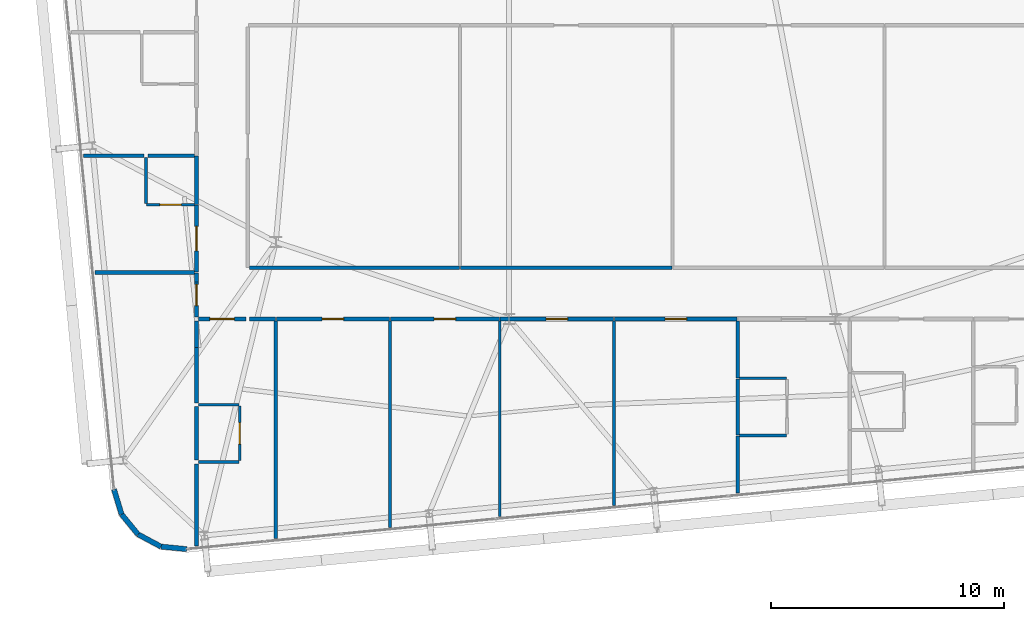
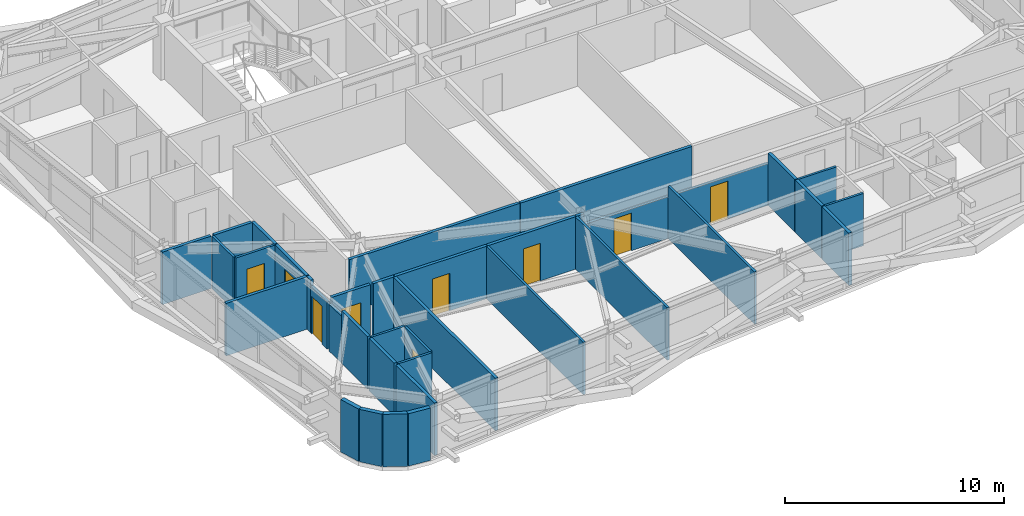
# One storey, part 46 of 53: 38 walls, 9 doors, 9 openings.
"""IFC4 building model written with IfcOpenShell, lengths in metres."""

import ifcopenshell
import ifcopenshell.guid

model = None  # the IFC model being written
_history = None  # IfcOwnerHistory: only IFC2X3 demands one
_inside = {}  # id of a spatial element -> (the spatial element, [elements in it])
_under = {}  # id of a project, library or spatial element -> (it, [spatial elements below it])
_declared = {}  # id of a project -> (the project, [libraries it declares])
_typed = {}  # id of a type object -> (the type object, [elements of that type])
_made_of = {}  # id of a material, layer set ... -> (it, [elements and type objects made of it])


def new_model(schema):
    """Start an empty IFC model of exactly this schema.

    Asked for "IFC4X3", IfcOpenShell would pick the latest addendum, in which some entities
    have other attributes; the version numbers below select the first issue.
    IFC2X3 requires an IfcOwnerHistory on every rooted entity: one is made here for all.
    """
    global model, _history
    if schema == "IFC4X3":
        model = ifcopenshell.file(schema_version=(4, 3, 0, 0))
    else:
        model = ifcopenshell.file(schema=schema)
    _inside.clear()
    _under.clear()
    _declared.clear()
    _typed.clear()
    _made_of.clear()
    _history = None
    if model.schema == "IFC2X3":
        org = make("IfcOrganization", Name="unknown")
        user = make(
            "IfcPersonAndOrganization",
            ThePerson=make("IfcPerson", FamilyName="unknown"),
            TheOrganization=org,
        )
        app = make(
            "IfcApplication",
            ApplicationDeveloper=org,
            Version="unknown",
            ApplicationFullName="unknown",
            ApplicationIdentifier="unknown",
        )
        _history = make(
            "IfcOwnerHistory",
            OwningUser=user,
            OwningApplication=app,
            ChangeAction="ADDED",
            CreationDate=0,
        )
    return model


def make(cls, **values):
    """One entity of the class cls with the attributes given. An attribute that is None is left unset."""
    return model.create_entity(
        cls, **{name: value for name, value in values.items() if value is not None}
    )


def rooted(cls, **values):
    """An entity with a GlobalId (a new one), such as an element, a storey or a relation."""
    return make(cls, GlobalId=ifcopenshell.guid.new(), OwnerHistory=_history, **values)


def si_unit(unit_type, name, prefix=None):
    """IfcSIUnit, for example si_unit("LENGTHUNIT", "METRE", prefix="MILLI")."""
    return make("IfcSIUnit", UnitType=unit_type, Prefix=prefix, Name=name)


def assignment(units):
    """IfcUnitAssignment: the units of a project."""
    return None if units is None else make("IfcUnitAssignment", Units=units)


def point(xyz):
    """IfcCartesianPoint."""
    return None if xyz is None else make("IfcCartesianPoint", Coordinates=xyz)


def direction(xyz):
    """IfcDirection."""
    return None if xyz is None else make("IfcDirection", DirectionRatios=xyz)


def frame(location, z_axis=None, x_axis=None):
    """IfcAxis2Placement3D, a coordinate frame: its origin and axes. An axis left out is left unset."""
    return make(
        "IfcAxis2Placement3D",
        Location=point(location),
        Axis=direction(z_axis),
        RefDirection=direction(x_axis),
    )


def frame_2d(location, x_axis=None):
    """IfcAxis2Placement2D, a coordinate frame in the plane: its origin and x axis."""
    return make(
        "IfcAxis2Placement2D", Location=point(location), RefDirection=direction(x_axis)
    )


def origin():
    """The frame at (0, 0, 0) with its axes left unset."""
    return frame((0.0, 0.0, 0.0))


def place(relative_to, where):
    """IfcLocalPlacement: puts the frame where relative to a parent placement (None: the world)."""
    return make(
        "IfcLocalPlacement", PlacementRelTo=relative_to, RelativePlacement=where
    )


def context(
    kind, dimensions, precision=None, world=None, true_north=None, identifier=None
):
    """IfcGeometricRepresentationContext, for example the 3D "Model" context."""
    return make(
        "IfcGeometricRepresentationContext",
        ContextIdentifier=identifier,
        ContextType=kind,
        CoordinateSpaceDimension=dimensions,
        Precision=precision,
        WorldCoordinateSystem=world,
        TrueNorth=true_north,
    )


def subcontext(parent, identifier, kind, view, scale=None):
    """IfcGeometricRepresentationSubContext, for example "Body" below "Model"."""
    return make(
        "IfcGeometricRepresentationSubContext",
        ContextIdentifier=identifier,
        ContextType=kind,
        ParentContext=parent,
        TargetScale=scale,
        TargetView=view,
    )


def project(units=None, contexts=None):
    """IfcProject with its units and contexts."""
    return rooted(
        "IfcProject",
        Name="project",
        RepresentationContexts=contexts,
        UnitsInContext=assignment(units),
    )


def spatial(cls, under=None, at=None, **own):
    """A site, building, storey or space (cls), placed at a placement, below another one or the project."""
    s = rooted(cls, ObjectPlacement=at, **own)
    if under is not None:
        _under.setdefault(under.id(), (under, []))[1].append(s)
    return s


def profile(cls, at=None, kind="AREA", **sizes):
    """A parametric profile (cls). Its sizes go by their IFC names, for example OverallWidth=200.0."""
    return make(cls, ProfileType=kind, Position=at, **sizes)


def rectangle(**sizes):
    """IfcRectangleProfileDef."""
    return profile("IfcRectangleProfileDef", **sizes)


def extrude(swept, where, along, depth):
    """IfcExtrudedAreaSolid: the profile swept, set in the frame where, extruded along a direction by depth."""
    return make(
        "IfcExtrudedAreaSolid",
        SweptArea=swept,
        Position=where,
        ExtrudedDirection=direction(along),
        Depth=depth,
    )


def shape(context_of_items, identifier, shape_type, items):
    """IfcShapeRepresentation: the items that make up one representation, for example the "Body"."""
    return make(
        "IfcShapeRepresentation",
        ContextOfItems=context_of_items,
        RepresentationIdentifier=identifier,
        RepresentationType=shape_type,
        Items=items,
    )


def source(mapping_origin, context_of_items, identifier, shape_type, items):
    """IfcRepresentationMap: a shape defined once, which mapped items show again and again."""
    return make(
        "IfcRepresentationMap",
        MappingOrigin=mapping_origin,
        MappedRepresentation=shape(context_of_items, identifier, shape_type, items),
    )


def transform(
    local_origin,
    x_axis=None,
    y_axis=None,
    z_axis=None,
    scale=None,
    scale2=None,
    scale3=None,
    uniform=True,
):
    """IfcCartesianTransformationOperator3D, or its non-uniform kind. x_axis, y_axis, z_axis: its Axis1, 2, 3."""
    if uniform:
        return make(
            "IfcCartesianTransformationOperator3D",
            Axis1=direction(x_axis),
            Axis2=direction(y_axis),
            LocalOrigin=point(local_origin),
            Scale=scale,
            Axis3=direction(z_axis),
        )
    return make(
        "IfcCartesianTransformationOperator3DnonUniform",
        Axis1=direction(x_axis),
        Axis2=direction(y_axis),
        LocalOrigin=point(local_origin),
        Scale=scale,
        Axis3=direction(z_axis),
        Scale2=scale2,
        Scale3=scale3,
    )


def mapped(mapping_source, mapping_target):
    """IfcMappedItem: shows the shape of a source again, moved by a transform."""
    return make(
        "IfcMappedItem", MappingSource=mapping_source, MappingTarget=mapping_target
    )


def material(Name=None, Category=None):
    """IfcMaterial."""
    return make("IfcMaterial", Name=Name, Category=Category)


def layer(
    of_material, thickness, ventilated=None, Name=None, Category=None, Priority=None
):
    """IfcMaterialLayer: one layer of a wall or slab, of a material (None: an air gap)."""
    return make(
        "IfcMaterialLayer",
        Material=of_material,
        LayerThickness=thickness,
        IsVentilated=ventilated,
        Name=Name,
        Category=Category,
        Priority=Priority,
    )


def layer_set(layers, Name=None):
    """IfcMaterialLayerSet."""
    return make("IfcMaterialLayerSet", MaterialLayers=layers, LayerSetName=Name)


def made_of(thing, what):
    """Note that an element or type object is made of a material, layer set ...; save() writes the relation."""
    if what is not None:
        _made_of.setdefault(what.id(), (what, []))[1].append(thing)
    return thing


def type_object(cls, material=None, **own):
    """A type object (cls), such as IfcWallType, which elements share."""
    return made_of(rooted(cls, **own), material)


def element(
    cls,
    number,
    at=None,
    inside=None,
    cuts=None,
    type_object=None,
    material=None,
    context=None,
    identifier="Body",
    shape_type=None,
    held_by="IfcProductDefinitionShape",
    body=None,
    shapes=None,
    **own,
):
    """One element of the class cls, such as IfcWall. Its Tag is "e" and its number.

    at: its placement. inside: the storey or other place that contains it. cuts: it is an
    opening in that element (IfcRelVoidsElement). A single representation is given by context,
    identifier, shape_type and body (its items); several are given by shapes. held_by: the class
    of the entity that holds the representations. save() writes the other relations.
    """
    e = rooted(cls, Tag="e%d" % number, ObjectPlacement=at, **own)
    if body is not None:
        shapes = [shape(context, identifier, shape_type, body)]
    if shapes is not None:
        e.Representation = make(held_by, Representations=shapes)
    if inside is not None:
        _inside.setdefault(inside.id(), (inside, []))[1].append(e)
    if cuts is not None:
        rooted(
            "IfcRelVoidsElement", RelatingBuildingElement=cuts, RelatedOpeningElement=e
        )
    if type_object is not None:
        _typed.setdefault(type_object.id(), (type_object, []))[1].append(e)
    return made_of(e, material)


def fill(opening, filler):
    """IfcRelFillsElement: the door or window that sits in an opening."""
    return rooted(
        "IfcRelFillsElement",
        RelatingOpeningElement=opening,
        RelatedBuildingElement=filler,
    )


def aggregate(whole, parts):
    """IfcRelAggregates: a whole, such as a stair, and the parts it consists of."""
    return rooted("IfcRelAggregates", RelatingObject=whole, RelatedObjects=parts)


def save(model, path):
    """Write the relations noted so far, then the file.

    IfcRelAggregates (storeys below a building ...), IfcRelContainedInSpatialStructure (elements
    in a storey), IfcRelDefinesByType, IfcRelAssociatesMaterial and IfcRelDeclares: one each for
    every whole, place, type object, material and project.
    """
    for whole, parts in _under.values():
        aggregate(whole, parts)
    for where, things in _inside.values():
        rooted(
            "IfcRelContainedInSpatialStructure",
            RelatedElements=things,
            RelatingStructure=where,
        )
    for kind, things in _typed.values():
        rooted("IfcRelDefinesByType", RelatedObjects=things, RelatingType=kind)
    for what, things in _made_of.values():
        rooted("IfcRelAssociatesMaterial", RelatedObjects=things, RelatingMaterial=what)
    for by, libraries in _declared.values():
        rooted("IfcRelDeclares", RelatingContext=by, RelatedDefinitions=libraries)
    model.write(path)


model = new_model("IFC4")

# Units and contexts
model_context = context("Model", 3, precision=1e-05, world=origin(), true_north=direction((0.0, 1.0)))
body_context = subcontext(model_context, "Body", "Model", "MODEL_VIEW")
ifc_project = project(units=[si_unit("LENGTHUNIT", "METRE"), si_unit("AREAUNIT", "SQUARE_METRE"), si_unit("VOLUMEUNIT", "CUBIC_METRE"), si_unit("PLANEANGLEUNIT", "RADIAN"), si_unit("MASSUNIT", "GRAM", prefix="KILO")], contexts=[model_context])

# Site, building, storey
site_placement = place(None, origin())
site = spatial("IfcSite", under=ifc_project, at=site_placement, CompositionType="ELEMENT")
building_placement = place(site_placement, origin())
building = spatial("IfcBuilding", under=site, at=building_placement, Name="Taldren Reach Tower", CompositionType="ELEMENT")
storey_placement = place(building_placement, frame((0.0, 0.0, 71.39990234375)))
storey = spatial("IfcBuildingStorey", under=building, at=storey_placement, Name="L21", CompositionType="ELEMENT", Elevation=71.39990234375)

# Walls
ifc_material_1 = material(Name="Pale Champagne Anodised Aluminium Cladding", Category="aluminium")
ifc_layer_1 = layer(ifc_material_1, 0.04, Name="Pale Champagne Anodised Aluminium Cladding", Category="aluminium")
ifc_material_2 = material(Name="Mineral Wool Acoustic Insulation", Category="insulation")
ifc_layer_2 = layer(ifc_material_2, 0.06, Name="Mineral Wool Acoustic Insulation", Category="insulation")
ifc_material_3 = material(Name="Steel Gr 350 (C350L0)", Category="steel")
ifc_layer_3 = layer(ifc_material_3, 0.12, Name="Steel Gr 350 (C350L0)", Category="steel")
ifc_layer_set_1 = layer_set([ifc_layer_1, ifc_layer_2, ifc_layer_3], Name="Pale Champagne Aluminium Cladding and Steel Gr 350 Stud Framing")
wall_type_1 = type_object("IfcWallType", Name="EW-CRN-220", PredefinedType="SOLIDWALL", material=ifc_layer_set_1)
shared_shape_1 = source(origin(), body_context, "Body", "SweptSolid", [
    extrude(rectangle(XDim=1.115966796875, YDim=0.219970703125, at=frame_2d((0.55810546875, 0.0))), origin(), (0.0, 0.0, 1.0), 2.93017578125),
])
for number, where, z_axis, x_axis, name in (
    (1, (11.062255859375, 1.90185546875, 0.0), (0.0, 0.0, 1.0), (0.289855603468, -0.957070388811, 0.0), "Rounded-corner pale-metal facade wall L21-SW1"),
    (2, (11.3857421875, 0.833740234375, 0.0), (0.0, 0.0, 1.0), (0.633988016432, -0.773342870285, 0.0), "Rounded-corner pale-metal facade wall L21-SW2"),
    (3, (13.0771484375, -0.5556640625, 0.0), (0.0, 0.0, 1.0), (0.995142755671, -0.09844234778, 0.0), "Rounded-corner pale-metal facade wall L21-SW4"),
):
    element("IfcWall", number, at=place(storey_placement, frame(where, z_axis=z_axis, x_axis=x_axis)), inside=storey, type_object=wall_type_1, Name=name, PredefinedType="SOLIDWALL", context=body_context, shape_type="MappedRepresentation", body=[
        mapped(shared_shape_1, transform((0.0, 0.0, 0.0), scale=1.0)),
    ])
shared_shape_2 = source(origin(), body_context, "Body", "SweptSolid", [
    extrude(rectangle(XDim=1.11572265625, YDim=0.219970703125, at=frame_2d((0.557861328125, 0.0))), origin(), (0.0, 0.0, 1.0), 2.93017578125),
])
wall_1_placement = place(storey_placement, frame((12.09326171875, -0.029296875, 0.0), z_axis=(0.0, 0.0, 1.0), x_axis=(0.881746547635, -0.471723463201, 0.0)))
element("IfcWall", 4, at=wall_1_placement, inside=storey, type_object=wall_type_1, Name="Rounded-corner pale-metal facade wall L21-SW3", PredefinedType="SOLIDWALL", context=body_context, shape_type="MappedRepresentation", body=[
    mapped(shared_shape_2, transform((0.0, 0.0, 0.0), scale=1.0)),
])

# Wall, opening, door
ifc_material_4 = material(Name="Fire-Rated Acoustic Plasterboard Stud Wall", Category="gypsum")
ifc_layer_4 = layer(ifc_material_4, 0.159912109375)
ifc_layer_set_2 = layer_set([ifc_layer_4], Name="Fire-Rated Acoustic Plasterboard Stud Wall")
wall_type_2 = type_object("IfcWallType", Name="IW-FIRE-160", PredefinedType="PARTITIONING", material=ifc_layer_set_2)
shared_shape_3 = source(origin(), body_context, "Body", "SweptSolid", [
    extrude(rectangle(XDim=2.0400390625, YDim=0.159912109375, at=frame_2d((1.02001953125, 0.0))), origin(), (0.0, 0.0, 1.0), 2.93017578125),
])
wall_2_placement = place(storey_placement, frame((16.719970703125, 9.199951171875, 0.0), z_axis=(0.0, 0.0, 1.0), x_axis=(-1.0, 0.0, 0.0)))
wall_2 = element("IfcWall", 5, at=wall_2_placement, inside=storey, type_object=wall_type_2, Name="Interior Partition Wall W-INT-L21-051", PredefinedType="PARTITIONING", context=body_context, shape_type="MappedRepresentation", body=[
    mapped(shared_shape_3, transform((0.0, 0.0, 0.0), scale=1.0)),
])
shared_shape_4 = source(origin(), body_context, "Body", "SweptSolid", [
    extrude(rectangle(XDim=1.050048828125, YDim=2.10009765625, at=frame_2d((0.52490234375, 1.050048828125))), frame((0.0, 0.08984375, 0.0), z_axis=(0.0, -1.0, 0.0), x_axis=(1.0, 0.0, 0.0)), (0.0, 0.0, 1.0), 0.179931640625),
])
opening_1_placement = place(wall_2_placement, frame((0.4951171875, 0.0, 0.0)))
opening_1 = element("IfcOpeningElement", 6, at=opening_1_placement, cuts=wall_2, Name="Opening DF-105", PredefinedType="OPENING", context=body_context, shape_type="MappedRepresentation", body=[
    mapped(shared_shape_4, transform((0.0, 0.0, 0.0), scale=1.0)),
])
ifc_material_5 = material(Name="Fire-Rated Care and Stair Exit Door")
door_type_1 = type_object("IfcDoorType", Name="ID-FIRE-105", OperationType="NOTDEFINED", PredefinedType="DOOR", material=ifc_material_5)
shared_shape_5 = source(origin(), body_context, "Body", "SweptSolid", [
    extrude(rectangle(XDim=1.050048828125, YDim=2.10009765625, at=frame_2d((0.52490234375, 1.050048828125))), frame((0.0, 0.02490234375, 0.0), z_axis=(0.0, -1.0, 0.0), x_axis=(1.0, 0.0, 0.0)), (0.0, 0.0, 1.0), 0.050048828125),
])
door_1_placement = place(opening_1_placement, origin())
door_1 = element("IfcDoor", 7, at=door_1_placement, inside=storey, type_object=door_type_1, Name="Interior Door DR-L21-012", OperationType="SINGLE_SWING_LEFT", OverallHeight=2.10009765625, OverallWidth=1.050048828125, PredefinedType="DOOR", context=body_context, shape_type="MappedRepresentation", body=[
    mapped(shared_shape_5, transform((0.0, 0.0, 0.0), scale=1.0)),
])
fill(opening_1, door_1)

# Wall
shared_shape_6 = source(origin(), body_context, "Body", "SweptSolid", [
    extrude(rectangle(XDim=1.099853515625, YDim=0.159912109375, at=frame_2d((0.5498046875, 0.0))), origin(), (0.0, 0.0, 1.0), 2.93017578125),
])
wall_3_placement = place(storey_placement, frame((17.979736328125, 9.199951171875, 0.0), z_axis=(0.0, 0.0, 1.0), x_axis=(-1.0, 0.0, 0.0)))
element("IfcWall", 8, at=wall_3_placement, inside=storey, type_object=wall_type_2, Name="Interior Partition Wall W-INT-L21-069", PredefinedType="PARTITIONING", context=body_context, shape_type="MappedRepresentation", body=[
    mapped(shared_shape_6, transform((0.0, 0.0, 0.0), scale=1.0)),
])

# Wall, opening, door
ifc_material_6 = material(Name="Insulated Residential Stud Partition", Category="gypsum")
ifc_layer_5 = layer(ifc_material_6, 0.1201171875)
ifc_layer_set_3 = layer_set([ifc_layer_5], Name="Insulated Residential Stud Partition")
wall_type_3 = type_object("IfcWallType", Name="IW-PART-120", PredefinedType="PARTITIONING", material=ifc_layer_set_3)
shared_shape_7 = source(origin(), body_context, "Body", "SweptSolid", [
    extrude(rectangle(XDim=2.330078125, YDim=0.1201171875, at=frame_2d((1.1650390625, 0.0))), origin(), (0.0, 0.0, 1.0), 2.93017578125),
])
wall_4_placement = place(storey_placement, frame((16.449951171875, 3.131591796875, 0.0), z_axis=(0.0, 0.0, 1.0), x_axis=(0.0, 1.0, 0.0)))
wall_4 = element("IfcWall", 9, at=wall_4_placement, inside=storey, type_object=wall_type_3, Name="Interior Partition Wall W-INT-L21-081", PredefinedType="PARTITIONING", context=body_context, shape_type="MappedRepresentation", body=[
    mapped(shared_shape_7, transform((0.0, 0.0, 0.0), scale=1.0)),
])
shared_shape_8 = source(origin(), body_context, "Body", "SweptSolid", [
    extrude(rectangle(XDim=0.919921875, YDim=2.10009765625, at=frame_2d((0.4599609375, 1.050048828125))), frame((0.0, 0.070068359375, 0.0), z_axis=(0.0, -1.0, 0.0), x_axis=(1.0, 0.0, 0.0)), (0.0, 0.0, 1.0), 0.14013671875),
])
opening_2_placement = place(wall_4_placement, frame((0.705078125, 0.0, 0.0)))
opening_2 = element("IfcOpeningElement", 10, at=opening_2_placement, cuts=wall_4, Name="Opening DI-092", PredefinedType="OPENING", context=body_context, shape_type="MappedRepresentation", body=[
    mapped(shared_shape_8, transform((0.0, 0.0, 0.0), scale=1.0)),
])
ifc_material_7 = material(Name="Solid-Core Timber Suite Door", Category="wood")
door_type_2 = type_object("IfcDoorType", Name="ID-INT-092", OperationType="NOTDEFINED", PredefinedType="DOOR", material=ifc_material_7)
shared_shape_9 = source(origin(), body_context, "Body", "SweptSolid", [
    extrude(rectangle(XDim=0.919921875, YDim=2.10009765625, at=frame_2d((0.4599609375, 1.050048828125))), frame((0.0, 0.02490234375, 0.0), z_axis=(0.0, -1.0, 0.0), x_axis=(1.0, 0.0, 0.0)), (0.0, 0.0, 1.0), 0.050048828125),
])
door_2_placement = place(opening_2_placement, origin())
door_2 = element("IfcDoor", 11, at=door_2_placement, inside=storey, type_object=door_type_2, Name="Interior Door DR-L21-030", OperationType="SINGLE_SWING_LEFT", OverallHeight=2.10009765625, OverallWidth=0.919921875, PredefinedType="DOOR", context=body_context, shape_type="MappedRepresentation", body=[
    mapped(shared_shape_9, transform((0.0, 0.0, 0.0), scale=1.0)),
])
fill(opening_2, door_2)

# Walls
shared_shape_10 = source(origin(), body_context, "Body", "SweptSolid", [
    extrude(rectangle(XDim=1.749755859375, YDim=0.1201171875, at=frame_2d((0.875, 0.0))), origin(), (0.0, 0.0, 1.0), 2.93017578125),
])
for number, where, z_axis, x_axis, name in (
    (12, (14.679931640625, 3.071533203125, 0.0), (0.0, 0.0, 1.0), (1.0, 0.0, 0.0), "Interior Partition Wall W-INT-L21-082"),
    (13, (16.4296875, 5.521484375, 0.0), (0.0, 0.0, 1.0), (-1.0, 0.0, 0.0), "Interior Partition Wall W-INT-L21-083"),
):
    element("IfcWall", number, at=place(storey_placement, frame(where, z_axis=z_axis, x_axis=x_axis)), inside=storey, type_object=wall_type_3, Name=name, PredefinedType="PARTITIONING", context=body_context, shape_type="MappedRepresentation", body=[
        mapped(shared_shape_10, transform((0.0, 0.0, 0.0), scale=1.0)),
    ])
shared_shape_11 = source(origin(), body_context, "Body", "SweptSolid", [
    extrude(rectangle(XDim=2.2900390625, YDim=0.159912109375, at=frame_2d((1.14501953125, 0.0))), origin(), (0.0, 0.0, 1.0), 2.93017578125),
])
wall_5_placement = place(storey_placement, frame((14.60009765625, 3.151611328125, 0.0), z_axis=(0.0, 0.0, 1.0), x_axis=(0.0, 1.0, 0.0)))
element("IfcWall", 14, at=wall_5_placement, inside=storey, type_object=wall_type_2, Name="Interior Partition Wall W-INT-L21-087", PredefinedType="PARTITIONING", context=body_context, shape_type="MappedRepresentation", body=[
    mapped(shared_shape_11, transform((0.0, 0.0, 0.0), scale=1.0)),
])

# Wall, opening, door
shared_shape_12 = source(origin(), body_context, "Body", "SweptSolid", [
    extrude(rectangle(XDim=1.509765625, YDim=0.159912109375, at=frame_2d((0.7548828125, 0.0))), origin(), (0.0, 0.0, 1.0), 2.623046875),
])
wall_6_placement = place(storey_placement, frame((14.60009765625, 9.280029296875, 0.0), z_axis=(0.0, 0.0, 1.0), x_axis=(0.0, 1.0, 0.0)))
wall_6 = element("IfcWall", 15, at=wall_6_placement, inside=storey, type_object=wall_type_2, Name="Interior Partition Wall W-INT-L21-053", PredefinedType="PARTITIONING", context=body_context, shape_type="MappedRepresentation", body=[
    mapped(shared_shape_12, transform((0.0, 0.0, 0.0), scale=1.0)),
])
shared_shape_13 = source(origin(), body_context, "Body", "SweptSolid", [
    extrude(rectangle(XDim=0.919921875, YDim=2.10009765625, at=frame_2d((0.4599609375, 1.050048828125))), frame((0.0, 0.08984375, 0.0), z_axis=(0.0, -1.0, 0.0), x_axis=(1.0, 0.0, 0.0)), (0.0, 0.0, 1.0), 0.179931640625),
])
opening_3_placement = place(wall_6_placement, frame((0.489990234375, 0.0, 0.0)))
opening_3 = element("IfcOpeningElement", 16, at=opening_3_placement, cuts=wall_6, Name="Opening DI-092", PredefinedType="OPENING", context=body_context, shape_type="MappedRepresentation", body=[
    mapped(shared_shape_13, transform((0.0, 0.0, 0.0), scale=1.0)),
])
door_3_placement = place(opening_3_placement, origin())
door_3 = element("IfcDoor", 17, at=door_3_placement, inside=storey, type_object=door_type_2, Name="Interior Door DR-L21-014", OperationType="SINGLE_SWING_LEFT", OverallHeight=2.10009765625, OverallWidth=0.919921875, PredefinedType="DOOR", context=body_context, shape_type="MappedRepresentation", body=[
    mapped(shared_shape_9, transform((0.0, 0.0, 0.0), scale=1.0)),
])
fill(opening_3, door_3)

# Walls
shared_shape_14 = source(origin(), body_context, "Body", "SweptSolid", [
    extrude(rectangle(XDim=1.143310546875, YDim=0.159912109375, at=frame_2d((0.57177734375, 0.0))), origin(), (0.0, 0.0, 1.0), 2.623046875),
])
wall_7_placement = place(storey_placement, frame((14.60009765625, 7.974609375, 0.0), z_axis=(0.0, 0.0, 1.0), x_axis=(0.0, 1.0, 0.0)))
element("IfcWall", 18, at=wall_7_placement, inside=storey, type_object=wall_type_2, Name="Interior Partition Wall W-INT-L21-086 part 2", PredefinedType="PARTITIONING", context=body_context, shape_type="MappedRepresentation", body=[
    mapped(shared_shape_14, transform((0.0, 0.0, 0.0), scale=1.0)),
])
shared_shape_15 = source(origin(), body_context, "Body", "SweptSolid", [
    extrude(rectangle(XDim=9.0595703125, YDim=0.159912109375, at=frame_2d((4.52978515625, 0.0))), origin(), (0.0, 0.0, 1.0), 2.93017578125),
])
wall_8_placement = place(storey_placement, frame((25.920166015625, 11.39990234375, 0.0), z_axis=(0.0, 0.0, 1.0), x_axis=(1.0, 0.0, 0.0)))
element("IfcWall", 19, at=wall_8_placement, inside=storey, type_object=wall_type_2, Name="Interior Partition Wall W-INT-L21-066", PredefinedType="PARTITIONING", context=body_context, shape_type="MappedRepresentation", body=[
    mapped(shared_shape_15, transform((0.0, 0.0, 0.0), scale=1.0)),
])
shared_shape_16 = source(origin(), body_context, "Body", "SweptSolid", [
    extrude(rectangle(XDim=0.389892578125, YDim=0.159912109375, at=frame_2d((0.19482421875, 0.0))), origin(), (0.0, 0.0, 1.0), 2.93017578125),
])
wall_9_placement = place(storey_placement, frame((14.60009765625, 10.789794921875, 0.0), z_axis=(0.0, 0.0, 1.0), x_axis=(0.0, 1.0, 0.0)))
element("IfcWall", 20, at=wall_9_placement, inside=storey, type_object=wall_type_2, Name="Interior Partition Wall W-INT-L21-053 part 2", PredefinedType="PARTITIONING", context=body_context, shape_type="MappedRepresentation", body=[
    mapped(shared_shape_16, transform((0.0, 0.0, 0.0), scale=1.0)),
])

# Wall, opening, door
shared_shape_17 = source(origin(), body_context, "Body", "SweptSolid", [
    extrude(rectangle(XDim=2.859619140625, YDim=0.159912109375, at=frame_2d((1.4296875, 0.0))), origin(), (0.0, 0.0, 1.0), 2.93017578125),
])
wall_10_placement = place(storey_placement, frame((14.60009765625, 11.22021484375, 0.0), z_axis=(0.0, 0.0, 1.0), x_axis=(0.0, 1.0, 0.0)))
wall_10 = element("IfcWall", 21, at=wall_10_placement, inside=storey, type_object=wall_type_2, Name="Interior Partition Wall W-INT-L21-054", PredefinedType="PARTITIONING", context=body_context, shape_type="MappedRepresentation", body=[
    mapped(shared_shape_17, transform((0.0, 0.0, 0.0), scale=1.0)),
])
opening_4_placement = place(wall_10_placement, frame((0.90478515625, 0.0, 0.0)))
opening_4 = element("IfcOpeningElement", 22, at=opening_4_placement, cuts=wall_10, Name="Opening DF-105", PredefinedType="OPENING", context=body_context, shape_type="MappedRepresentation", body=[
    mapped(shared_shape_4, transform((0.0, 0.0, 0.0), scale=1.0)),
])
door_4_placement = place(opening_4_placement, origin())
door_4 = element("IfcDoor", 23, at=door_4_placement, inside=storey, type_object=door_type_1, Name="Interior Door DR-L21-015", OperationType="SINGLE_SWING_RIGHT", OverallHeight=2.10009765625, OverallWidth=1.050048828125, PredefinedType="DOOR", context=body_context, shape_type="MappedRepresentation", body=[
    mapped(shared_shape_5, transform((0.0, 0.0, 0.0), scale=1.0)),
])
fill(opening_4, door_4)

# Walls
shared_shape_18 = source(origin(), body_context, "Body", "SweptSolid", [
    extrude(rectangle(XDim=2.0595703125, YDim=0.159912109375, at=frame_2d((1.02978515625, 0.0))), origin(), (0.0, 0.0, 1.0), 2.93017578125),
])
wall_11_placement = place(storey_placement, frame((14.60009765625, 14.1201171875, 0.0), z_axis=(0.0, 0.0, 1.0), x_axis=(0.0, 1.0, 0.0)))
element("IfcWall", 24, at=wall_11_placement, inside=storey, type_object=wall_type_2, Name="Interior Partition Wall W-INT-L21-055", PredefinedType="PARTITIONING", context=body_context, shape_type="MappedRepresentation", body=[
    mapped(shared_shape_18, transform((0.0, 0.0, 0.0), scale=1.0)),
])
shared_shape_19 = source(origin(), body_context, "Body", "SweptSolid", [
    extrude(rectangle(XDim=9.0, YDim=0.159912109375, at=frame_2d((4.5, 0.0))), origin(), (0.0, 0.0, 1.0), 2.93017578125),
])
wall_12_placement = place(storey_placement, frame((16.8798828125, 11.39990234375, 0.0), z_axis=(0.0, 0.0, 1.0), x_axis=(1.0, 0.0, 0.0)))
element("IfcWall", 25, at=wall_12_placement, inside=storey, type_object=wall_type_2, Name="Interior Partition Wall W-INT-L21-065", PredefinedType="PARTITIONING", context=body_context, shape_type="MappedRepresentation", body=[
    mapped(shared_shape_19, transform((0.0, 0.0, 0.0), scale=1.0)),
])

# Wall, opening, door
shared_shape_20 = source(origin(), body_context, "Body", "SweptSolid", [
    extrude(rectangle(XDim=4.859619140625, YDim=0.159912109375, at=frame_2d((2.4296875, 0.0))), origin(), (0.0, 0.0, 1.0), 2.93017578125),
])
wall_13_placement = place(storey_placement, frame((22.8798828125, 9.199951171875, 0.0), z_axis=(0.0, 0.0, 1.0), x_axis=(-1.0, 0.0, 0.0)))
wall_13 = element("IfcWall", 26, at=wall_13_placement, inside=storey, type_object=wall_type_2, Name="Interior Partition Wall W-INT-L21-070", PredefinedType="PARTITIONING", context=body_context, shape_type="MappedRepresentation", body=[
    mapped(shared_shape_20, transform((0.0, 0.0, 0.0), scale=1.0)),
])
opening_5_placement = place(wall_13_placement, frame((1.9697265625, 0.0, 0.0)))
opening_5 = element("IfcOpeningElement", 27, at=opening_5_placement, cuts=wall_13, Name="Opening DI-092", PredefinedType="OPENING", context=body_context, shape_type="MappedRepresentation", body=[
    mapped(shared_shape_13, transform((0.0, 0.0, 0.0), scale=1.0)),
])
door_5_placement = place(opening_5_placement, origin())
door_5 = element("IfcDoor", 28, at=door_5_placement, inside=storey, type_object=door_type_2, Name="Interior Door DR-L21-023", OperationType="SINGLE_SWING_RIGHT", OverallHeight=2.10009765625, OverallWidth=0.919921875, PredefinedType="DOOR", context=body_context, shape_type="MappedRepresentation", body=[
    mapped(shared_shape_9, transform((0.0, 0.0, 0.0), scale=1.0)),
])
fill(opening_5, door_5)

shared_shape_21 = source(origin(), body_context, "Body", "SweptSolid", [
    extrude(rectangle(XDim=4.65966796875, YDim=0.159912109375, at=frame_2d((2.329833984375, 0.0))), origin(), (0.0, 0.0, 1.0), 2.93017578125),
])
wall_14_placement = place(storey_placement, frame((27.579833984375, 9.199951171875, 0.0), z_axis=(0.0, 0.0, 1.0), x_axis=(-1.0, 0.0, 0.0)))
wall_14 = element("IfcWall", 29, at=wall_14_placement, inside=storey, type_object=wall_type_2, Name="Interior Partition Wall W-INT-L21-071", PredefinedType="PARTITIONING", context=body_context, shape_type="MappedRepresentation", body=[
    mapped(shared_shape_21, transform((0.0, 0.0, 0.0), scale=1.0)),
])
opening_6_placement = place(wall_14_placement, frame((1.869873046875, 0.0, 0.0)))
opening_6 = element("IfcOpeningElement", 30, at=opening_6_placement, cuts=wall_14, Name="Opening DI-092", PredefinedType="OPENING", context=body_context, shape_type="MappedRepresentation", body=[
    mapped(shared_shape_13, transform((0.0, 0.0, 0.0), scale=1.0)),
])
door_6_placement = place(opening_6_placement, origin())
door_6 = element("IfcDoor", 31, at=door_6_placement, inside=storey, type_object=door_type_2, Name="Interior Door DR-L21-024", OperationType="SINGLE_SWING_LEFT", OverallHeight=2.10009765625, OverallWidth=0.919921875, PredefinedType="DOOR", context=body_context, shape_type="MappedRepresentation", body=[
    mapped(shared_shape_9, transform((0.0, 0.0, 0.0), scale=1.0)),
])
fill(opening_6, door_6)

shared_shape_22 = source(origin(), body_context, "Body", "SweptSolid", [
    extrude(rectangle(XDim=4.479736328125, YDim=0.159912109375, at=frame_2d((2.23974609375, 0.0))), origin(), (0.0, 0.0, 1.0), 2.328125),
])
wall_15_placement = place(storey_placement, frame((32.479736328125, 9.199951171875, 0.0), z_axis=(0.0, 0.0, 1.0), x_axis=(-1.0, 0.0, 0.0)))
wall_15 = element("IfcWall", 32, at=wall_15_placement, inside=storey, type_object=wall_type_2, Name="Interior Partition Wall W-INT-L21-072", PredefinedType="PARTITIONING", context=body_context, shape_type="MappedRepresentation", body=[
    mapped(shared_shape_22, transform((0.0, 0.0, 0.0), scale=1.0)),
])
opening_7_placement = place(wall_15_placement, frame((1.9697265625, 0.0, 0.0)))
opening_7 = element("IfcOpeningElement", 33, at=opening_7_placement, cuts=wall_15, Name="Opening DI-092", PredefinedType="OPENING", context=body_context, shape_type="MappedRepresentation", body=[
    mapped(shared_shape_13, transform((0.0, 0.0, 0.0), scale=1.0)),
])
door_7_placement = place(opening_7_placement, origin())
door_7 = element("IfcDoor", 34, at=door_7_placement, inside=storey, type_object=door_type_2, Name="Interior Door DR-L21-025", OperationType="SINGLE_SWING_RIGHT", OverallHeight=2.10009765625, OverallWidth=0.919921875, PredefinedType="DOOR", context=body_context, shape_type="MappedRepresentation", body=[
    mapped(shared_shape_9, transform((0.0, 0.0, 0.0), scale=1.0)),
])
fill(opening_7, door_7)

# Wall
shared_shape_23 = source(origin(), body_context, "Body", "SweptSolid", [
    extrude(rectangle(XDim=0.3798828125, YDim=0.159912109375, at=frame_2d((0.18994140625, 0.0))), origin(), (0.0, 0.0, 1.0), 2.93017578125),
])
wall_16_placement = place(storey_placement, frame((28.0, 9.199951171875, 0.0), z_axis=(0.0, 0.0, 1.0), x_axis=(-1.0, 0.0, 0.0)))
element("IfcWall", 35, at=wall_16_placement, inside=storey, type_object=wall_type_2, Name="Interior Partition Wall W-INT-L21-072 part 2", PredefinedType="PARTITIONING", context=body_context, shape_type="MappedRepresentation", body=[
    mapped(shared_shape_23, transform((0.0, 0.0, 0.0), scale=1.0)),
])

# Wall, opening, door
shared_shape_24 = source(origin(), body_context, "Body", "SweptSolid", [
    extrude(rectangle(XDim=5.259521484375, YDim=0.159912109375, at=frame_2d((2.6298828125, 0.0))), origin(), (0.0, 0.0, 1.0), 2.328125),
])
wall_17_placement = place(storey_placement, frame((37.77978515625, 9.199951171875, 0.0), z_axis=(0.0, 0.0, 1.0), x_axis=(-1.0, 0.0, 0.0)))
wall_17 = element("IfcWall", 36, at=wall_17_placement, inside=storey, type_object=wall_type_2, Name="Interior Partition Wall W-INT-L21-073", PredefinedType="PARTITIONING", context=body_context, shape_type="MappedRepresentation", body=[
    mapped(shared_shape_24, transform((0.0, 0.0, 0.0), scale=1.0)),
])
opening_8_placement = place(wall_17_placement, frame((2.169921875, 0.0, 0.0)))
opening_8 = element("IfcOpeningElement", 37, at=opening_8_placement, cuts=wall_17, Name="Opening DI-092", PredefinedType="OPENING", context=body_context, shape_type="MappedRepresentation", body=[
    mapped(shared_shape_13, transform((0.0, 0.0, 0.0), scale=1.0)),
])
door_8_placement = place(opening_8_placement, origin())
door_8 = element("IfcDoor", 38, at=door_8_placement, inside=storey, type_object=door_type_2, Name="Interior Door DR-L21-026", OperationType="SINGLE_SWING_LEFT", OverallHeight=2.10009765625, OverallWidth=0.919921875, PredefinedType="DOOR", context=body_context, shape_type="MappedRepresentation", body=[
    mapped(shared_shape_9, transform((0.0, 0.0, 0.0), scale=1.0)),
])
fill(opening_8, door_8)

# Walls
shared_shape_25 = source(origin(), body_context, "Body", "SweptSolid", [
    extrude(rectangle(XDim=9.3251953125, YDim=0.159912109375, at=frame_2d((4.66259765625, 0.0))), origin(), (0.0, 0.0, 1.0), 2.93017578125),
])
wall_18_placement = place(storey_placement, frame((18.0, 9.117919921875, 0.0), z_axis=(0.0, 0.0, 1.0), x_axis=(0.0, -1.0, 0.0)))
element("IfcWall", 39, at=wall_18_placement, inside=storey, type_object=wall_type_2, Name="Interior Partition Wall W-INT-L21-084", PredefinedType="PARTITIONING", context=body_context, shape_type="MappedRepresentation", body=[
    mapped(shared_shape_25, transform((0.0, 0.0, 0.0), scale=1.0)),
])
shared_shape_26 = source(origin(), body_context, "Body", "SweptSolid", [
    extrude(rectangle(XDim=3.5166015625, YDim=0.159912109375, at=frame_2d((1.75830078125, 0.0))), origin(), (0.0, 0.0, 1.0), 2.93017578125),
])
wall_19_placement = place(storey_placement, frame((14.60009765625, -0.52490234375, 0.0), z_axis=(0.0, 0.0, 1.0), x_axis=(0.0, 1.0, 0.0)))
element("IfcWall", 40, at=wall_19_placement, inside=storey, type_object=wall_type_2, Name="Interior Partition Wall W-INT-L21-085", PredefinedType="PARTITIONING", context=body_context, shape_type="MappedRepresentation", body=[
    mapped(shared_shape_26, transform((0.0, 0.0, 0.0), scale=1.0)),
])
shared_shape_27 = source(origin(), body_context, "Body", "SweptSolid", [
    extrude(rectangle(XDim=2.373046875, YDim=0.159912109375, at=frame_2d((1.1865234375, 0.0))), origin(), (0.0, 0.0, 1.0), 2.93017578125),
])
wall_20_placement = place(storey_placement, frame((14.60009765625, 5.6015625, 0.0), z_axis=(0.0, 0.0, 1.0), x_axis=(0.0, 1.0, 0.0)))
element("IfcWall", 41, at=wall_20_placement, inside=storey, type_object=wall_type_2, Name="Interior Partition Wall W-INT-L21-086", PredefinedType="PARTITIONING", context=body_context, shape_type="MappedRepresentation", body=[
    mapped(shared_shape_27, transform((0.0, 0.0, 0.0), scale=1.0)),
])
shared_shape_28 = source(origin(), body_context, "Body", "SweptSolid", [
    extrude(rectangle(XDim=8.848876953125, YDim=0.1201171875, at=frame_2d((4.42431640625, 0.0))), origin(), (0.0, 0.0, 1.0), 2.93017578125),
])
wall_21_placement = place(storey_placement, frame((22.89990234375, 9.1201171875, 0.0), z_axis=(0.0, 0.0, 1.0), x_axis=(0.0, -1.0, 0.0)))
element("IfcWall", 42, at=wall_21_placement, inside=storey, type_object=wall_type_3, Name="Interior Partition Wall W-INT-L21-088", PredefinedType="PARTITIONING", context=body_context, shape_type="MappedRepresentation", body=[
    mapped(shared_shape_28, transform((0.0, 0.0, 0.0), scale=1.0)),
])
shared_shape_29 = source(origin(), body_context, "Body", "SweptSolid", [
    extrude(rectangle(XDim=8.387939453125, YDim=0.1201171875, at=frame_2d((4.19384765625, 0.0))), origin(), (0.0, 0.0, 1.0), 2.93017578125),
])
wall_22_placement = place(storey_placement, frame((27.60009765625, 9.1201171875, 0.0), z_axis=(0.0, 0.0, 1.0), x_axis=(0.0, -1.0, 0.0)))
element("IfcWall", 43, at=wall_22_placement, inside=storey, type_object=wall_type_3, Name="Interior Partition Wall W-INT-L21-089", PredefinedType="PARTITIONING", context=body_context, shape_type="MappedRepresentation", body=[
    mapped(shared_shape_29, transform((0.0, 0.0, 0.0), scale=1.0)),
])
shared_shape_30 = source(origin(), body_context, "Body", "SweptSolid", [
    extrude(rectangle(XDim=7.907470703125, YDim=0.1201171875, at=frame_2d((3.95361328125, 0.0))), origin(), (0.0, 0.0, 1.0), 2.93017578125),
])
wall_23_placement = place(storey_placement, frame((32.5, 9.1201171875, 0.0), z_axis=(0.0, 0.0, 1.0), x_axis=(0.0, -1.0, 0.0)))
element("IfcWall", 44, at=wall_23_placement, inside=storey, type_object=wall_type_3, Name="Interior Partition Wall W-INT-L21-090", PredefinedType="PARTITIONING", context=body_context, shape_type="MappedRepresentation", body=[
    mapped(shared_shape_30, transform((0.0, 0.0, 0.0), scale=1.0)),
])
shared_shape_31 = source(origin(), body_context, "Body", "SweptSolid", [
    extrude(rectangle(XDim=2.456298828125, YDim=0.159912109375, at=frame_2d((1.22802734375, 0.0))), origin(), (0.0, 0.0, 1.0), 2.93017578125),
])
wall_24_placement = place(storey_placement, frame((37.800048828125, 4.188720703125, 0.0), z_axis=(0.0, 0.0, 1.0), x_axis=(0.0, -1.0, 0.0)))
element("IfcWall", 45, at=wall_24_placement, inside=storey, type_object=wall_type_2, Name="Interior Partition Wall W-INT-L21-091", PredefinedType="PARTITIONING", context=body_context, shape_type="MappedRepresentation", body=[
    mapped(shared_shape_31, transform((0.0, 0.0, 0.0), scale=1.0)),
])
shared_shape_32 = source(origin(), body_context, "Body", "SweptSolid", [
    extrude(rectangle(XDim=2.44091796875, YDim=0.159912109375, at=frame_2d((1.220458984375, 0.0))), origin(), (0.0, 0.0, 1.0), 2.93017578125),
])
wall_25_placement = place(storey_placement, frame((37.800048828125, 9.1201171875, 0.0), z_axis=(0.0, 0.0, 1.0), x_axis=(0.0, -1.0, 0.0)))
element("IfcWall", 46, at=wall_25_placement, inside=storey, type_object=wall_type_2, Name="Interior Partition Wall W-INT-L21-092", PredefinedType="PARTITIONING", context=body_context, shape_type="MappedRepresentation", body=[
    mapped(shared_shape_32, transform((0.0, 0.0, 0.0), scale=1.0)),
])
shared_shape_33 = source(origin(), body_context, "Body", "SweptSolid", [
    extrude(rectangle(XDim=2.409912109375, YDim=0.159912109375, at=frame_2d((1.205078125, 0.0))), origin(), (0.0, 0.0, 1.0), 2.93017578125),
])
wall_26_placement = place(storey_placement, frame((37.800048828125, 6.638916015625, 0.0), z_axis=(0.0, 0.0, 1.0), x_axis=(0.0, -1.0, 0.0)))
element("IfcWall", 47, at=wall_26_placement, inside=storey, type_object=wall_type_2, Name="Interior Partition Wall W-INT-L21-093", PredefinedType="PARTITIONING", context=body_context, shape_type="MappedRepresentation", body=[
    mapped(shared_shape_33, transform((0.0, 0.0, 0.0), scale=1.0)),
])
shared_shape_34 = source(origin(), body_context, "Body", "SweptSolid", [
    extrude(rectangle(XDim=2.011962890625, YDim=0.1201171875, at=frame_2d((1.005859375, 0.0))), origin(), (0.0, 0.0, 1.0), 2.93017578125),
])
for number, where, z_axis, x_axis, name in (
    (48, (37.8798828125, 4.208984375, 0.0), (0.0, 0.0, 1.0), (1.0, 0.0, 0.0), "Interior Partition Wall W-INT-L21-095"),
    (49, (39.891845703125, 6.658935546875, 0.0), (0.0, 0.0, 1.0), (-1.0, 0.0, 0.0), "Interior Partition Wall W-INT-L21-096"),
):
    element("IfcWall", number, at=place(storey_placement, frame(where, z_axis=z_axis, x_axis=x_axis)), inside=storey, type_object=wall_type_3, Name=name, PredefinedType="PARTITIONING", context=body_context, shape_type="MappedRepresentation", body=[
        mapped(shared_shape_34, transform((0.0, 0.0, 0.0), scale=1.0)),
    ])
shared_shape_35 = source(origin(), body_context, "Body", "SweptSolid", [
    extrude(rectangle(XDim=4.271240234375, YDim=0.159912109375, at=frame_2d((2.1357421875, 0.0))), origin(), (0.0, 0.0, 1.0), 2.93017578125),
])
wall_27_placement = place(storey_placement, frame((10.248779296875, 11.199951171875, 0.0), z_axis=(0.0, 0.0, 1.0), x_axis=(1.0, 0.0, 0.0)))
element("IfcWall", 50, at=wall_27_placement, inside=storey, type_object=wall_type_2, Name="Interior Partition Wall W-INT-L21-114", PredefinedType="PARTITIONING", context=body_context, shape_type="MappedRepresentation", body=[
    mapped(shared_shape_35, transform((0.0, 0.0, 0.0), scale=1.0)),
])

# Wall, opening, door
shared_shape_36 = source(origin(), body_context, "Body", "SweptSolid", [
    extrude(rectangle(XDim=2.065185546875, YDim=0.1201171875, at=frame_2d((1.03271484375, 0.0))), origin(), (0.0, 0.0, 1.0), 2.93017578125),
])
wall_28_placement = place(storey_placement, frame((12.454833984375, 14.10009765625, 0.0), z_axis=(0.0, 0.0, 1.0), x_axis=(1.0, 0.0, 0.0)))
wall_28 = element("IfcWall", 51, at=wall_28_placement, inside=storey, type_object=wall_type_3, Name="Interior Partition Wall W-INT-L21-115", PredefinedType="PARTITIONING", context=body_context, shape_type="MappedRepresentation", body=[
    mapped(shared_shape_36, transform((0.0, 0.0, 0.0), scale=1.0)),
])
opening_9_placement = place(wall_28_placement, frame((0.572509765625, 0.0, 0.0)))
opening_9 = element("IfcOpeningElement", 52, at=opening_9_placement, cuts=wall_28, Name="Opening DI-092", PredefinedType="OPENING", context=body_context, shape_type="MappedRepresentation", body=[
    mapped(shared_shape_8, transform((0.0, 0.0, 0.0), scale=1.0)),
])
door_9_placement = place(opening_9_placement, origin())
door_9 = element("IfcDoor", 53, at=door_9_placement, inside=storey, type_object=door_type_2, Name="Interior Door DR-L21-035", OperationType="SINGLE_SWING_RIGHT", OverallHeight=2.10009765625, OverallWidth=0.919921875, PredefinedType="DOOR", context=body_context, shape_type="MappedRepresentation", body=[
    mapped(shared_shape_9, transform((0.0, 0.0, 0.0), scale=1.0)),
])
fill(opening_9, door_9)

# Walls
shared_shape_37 = source(origin(), body_context, "Body", "SweptSolid", [
    extrude(rectangle(XDim=1.960205078125, YDim=0.1201171875, at=frame_2d((0.97998046875, 0.0))), origin(), (0.0, 0.0, 1.0), 2.93017578125),
])
wall_29_placement = place(storey_placement, frame((12.4345703125, 16.1201171875, 0.0), z_axis=(0.0, 0.0, 1.0), x_axis=(0.0, -1.0, 0.0)))
element("IfcWall", 54, at=wall_29_placement, inside=storey, type_object=wall_type_3, Name="Interior Partition Wall W-INT-L21-116", PredefinedType="PARTITIONING", context=body_context, shape_type="MappedRepresentation", body=[
    mapped(shared_shape_37, transform((0.0, 0.0, 0.0), scale=1.0)),
])
shared_shape_38 = source(origin(), body_context, "Body", "SweptSolid", [
    extrude(rectangle(XDim=2.593994140625, YDim=0.159912109375, at=frame_2d((1.296875, 0.0))), origin(), (0.0, 0.0, 1.0), 2.93017578125),
])
wall_30_placement = place(storey_placement, frame((9.760498046875, 16.199951171875, 0.0), z_axis=(0.0, 0.0, 1.0), x_axis=(1.0, 0.0, 0.0)))
element("IfcWall", 55, at=wall_30_placement, inside=storey, type_object=wall_type_2, Name="Interior Partition Wall W-INT-L21-117", PredefinedType="PARTITIONING", context=body_context, shape_type="MappedRepresentation", body=[
    mapped(shared_shape_38, transform((0.0, 0.0, 0.0), scale=1.0)),
])
shared_shape_39 = source(origin(), body_context, "Body", "SweptSolid", [
    extrude(rectangle(XDim=2.00341796875, YDim=0.159912109375, at=frame_2d((1.001708984375, 0.0))), origin(), (0.0, 0.0, 1.0), 2.93017578125),
])
wall_31_placement = place(storey_placement, frame((12.5146484375, 16.199951171875, 0.0), z_axis=(0.0, 0.0, 1.0), x_axis=(1.0, 0.0, 0.0)))
element("IfcWall", 56, at=wall_31_placement, inside=storey, type_object=wall_type_2, Name="Interior Partition Wall W-INT-L21-118", PredefinedType="PARTITIONING", context=body_context, shape_type="MappedRepresentation", body=[
    mapped(shared_shape_39, transform((0.0, 0.0, 0.0), scale=1.0)),
])

save(model, "model.ifc")
